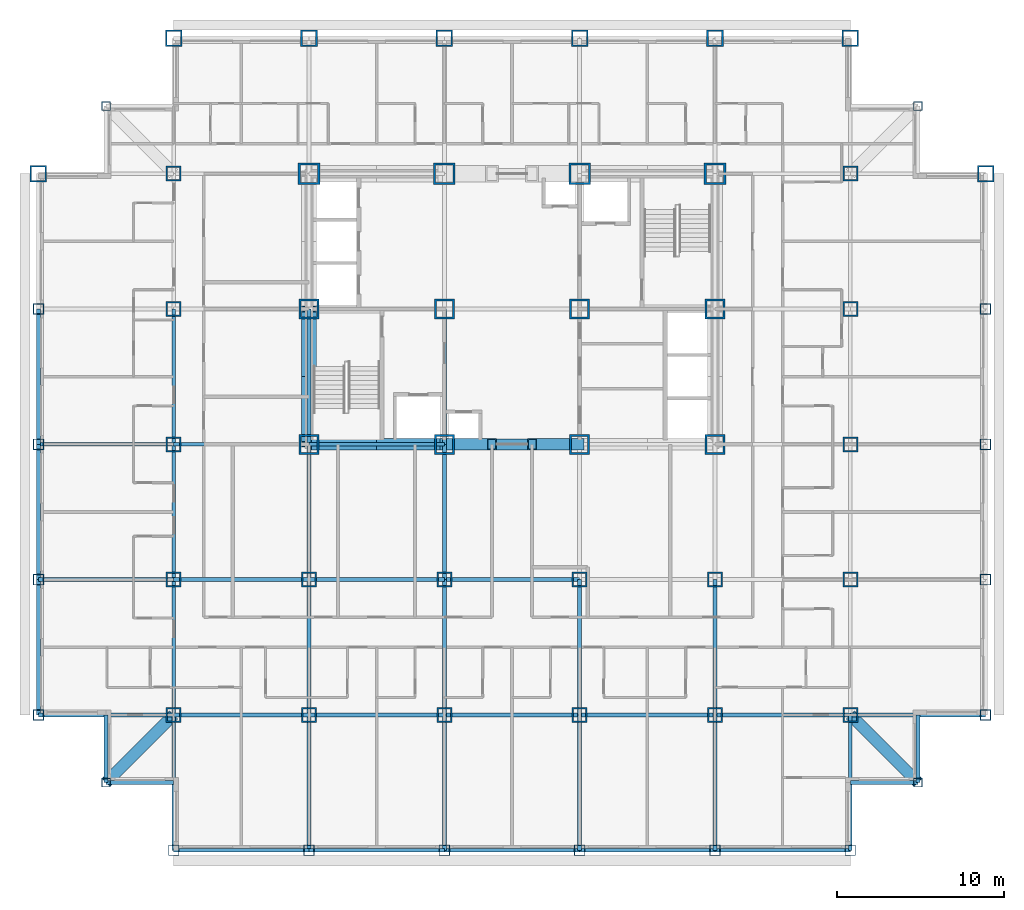
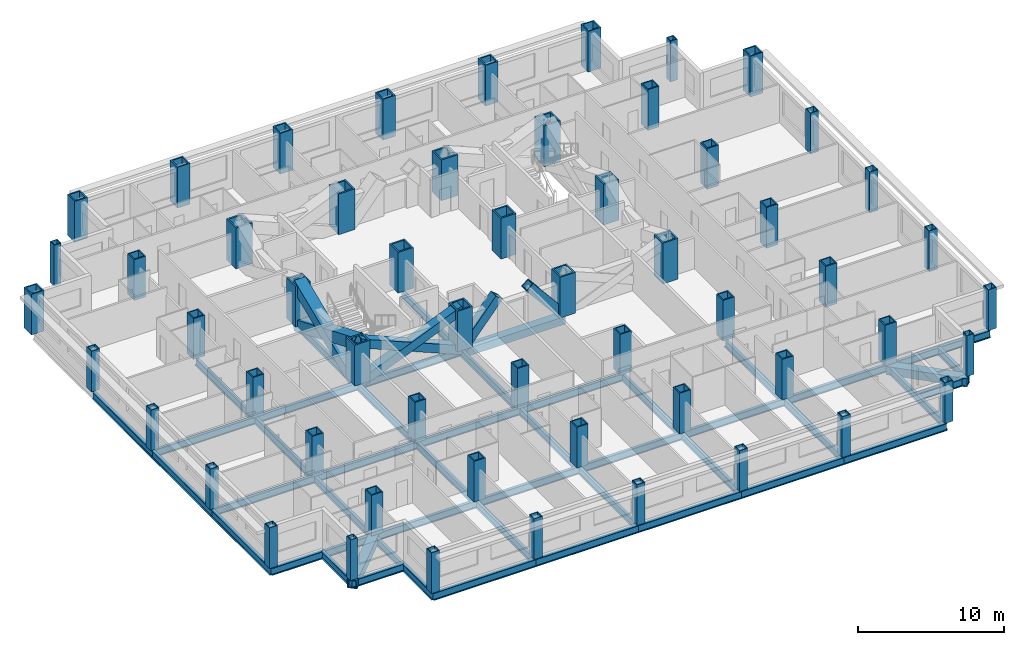
# One storey, part 1 of 12: 56 columns, 46 beams, 6 members.
"""IFC4 building model written with IfcOpenShell, lengths in metres."""

from ifc_helpers import new_model, si_unit, direction, frame, origin, origin_2d, place, context, subcontext, project, spatial, hollow_rectangle, i_section, extrude, material, material_profile, profile_set, type_object, element, save


model = new_model("IFC4")

# Units and contexts
model_context = context("Model", 3, precision=1e-05, world=origin(), true_north=direction((0.0, 1.0)))
body_context = subcontext(model_context, "Body", "Model", "MODEL_VIEW")
ifc_project = project(units=[si_unit("LENGTHUNIT", "METRE"), si_unit("AREAUNIT", "SQUARE_METRE"), si_unit("VOLUMEUNIT", "CUBIC_METRE"), si_unit("PLANEANGLEUNIT", "RADIAN"), si_unit("MASSUNIT", "GRAM", prefix="KILO")], contexts=[model_context])

# Site, building, storey
site_placement = place(None, origin())
site = spatial("IfcSite", under=ifc_project, at=site_placement, CompositionType="ELEMENT")
building_placement = place(site_placement, origin())
building = spatial("IfcBuilding", under=site, at=building_placement, Name="Kopane Lantern Tower", CompositionType="ELEMENT")
storey_placement = place(building_placement, frame((0.0, 0.0, 70.39990234375)))
storey = spatial("IfcBuildingStorey", under=building, at=storey_placement, Name="L17", CompositionType="ELEMENT", Elevation=70.39990234375)

# Columns
ifc_material_1 = material(Name="Steel S355JR", Category="steel")
ifc_material_profile_1 = material_profile(ifc_material_1, hollow_rectangle(XDim=1.0, YDim=1.0, WallThickness=0.10009765625, at=origin_2d()), Name="BOX 1000x1000x100")
ifc_profile_set_1 = profile_set([ifc_material_profile_1], Name="Steel S355JR")
column_type_1 = type_object("IfcColumnType", Name="COLUMN BOX 1000x1000x100", PredefinedType="COLUMN", material=ifc_profile_set_1)
for number, where, z_axis, x_axis, name in (
    (1, (0.0, 40.5, 0.0), (0.0, 0.0, 1.0), (1.0, 0.0, 0.0), "Column 2/G L17"),
    (2, (8.10009765625, 48.60009765625, 0.0), (0.0, 0.0, 1.0), (1.0, 0.0, 0.0), "Column 3/H L17"),
    (3, (16.199951171875, 48.60009765625, 0.0), (0.0, 0.0, 1.0), (1.0, 0.0, 0.0), "Column 4/H L17"),
    (4, (24.300048828125, 48.60009765625, 0.0), (0.0, 0.0, 1.0), (1.0, 0.0, 0.0), "Column 5/H L17"),
    (5, (32.39990234375, 48.60009765625, 0.0), (0.0, 0.0, 1.0), (1.0, 0.0, 0.0), "Column 6/H L17"),
    (6, (40.5, 48.60009765625, 0.0), (0.0, 0.0, 1.0), (1.0, 0.0, 0.0), "Column 7/H L17"),
    (7, (48.60009765625, 48.60009765625, 0.0), (0.0, 0.0, 1.0), (1.0, 0.0, 0.0), "Column 8/H L17"),
    (8, (56.699951171875, 40.5, 0.0), (0.0, 0.0, 1.0), (1.0, 0.0, 0.0), "Column 9/G L17"),
):
    element("IfcColumn", number, at=place(storey_placement, frame(where, z_axis=z_axis, x_axis=x_axis)), inside=storey, type_object=column_type_1, Name=name, PredefinedType="COLUMN", context=body_context, shape_type="SweptSolid", body=[
        extrude(hollow_rectangle(XDim=1.0, YDim=1.0, WallThickness=0.10009765625, at=origin_2d()), origin(), (0.0, 0.0, 1.0), 3.400146484375),
    ])
ifc_material_2 = material(Name="Steel S355JR", Category="steel")
ifc_material_profile_2 = material_profile(ifc_material_2, hollow_rectangle(XDim=1.199951171875, YDim=1.199951171875, WallThickness=0.1201171875, at=origin_2d()), Name="BOX 1200x1200x120")
ifc_profile_set_2 = profile_set([ifc_material_profile_2], Name="Steel S355JR")
column_type_2 = type_object("IfcColumnType", Name="COLUMN BOX 1200x1200x120", PredefinedType="COLUMN", material=ifc_profile_set_2)
for number, where, z_axis, x_axis, name in (
    (9, (16.199951171875, 24.300048828125, 0.0), (0.0, 0.0, 1.0), (1.0, 0.0, 0.0), "Column 4/E L17"),
    (10, (16.199951171875, 32.39990234375, 0.0), (0.0, 0.0, 1.0), (1.0, 0.0, 0.0), "Column 4/F L17"),
    (11, (24.300048828125, 24.300048828125, 0.0), (0.0, 0.0, 1.0), (1.0, 0.0, 0.0), "Column 5/E L17"),
    (12, (24.300048828125, 32.39990234375, 0.0), (0.0, 0.0, 1.0), (1.0, 0.0, 0.0), "Column 5/F L17"),
    (13, (32.39990234375, 24.300048828125, 0.0), (0.0, 0.0, 1.0), (1.0, 0.0, 0.0), "Column 6/E L17"),
    (14, (32.39990234375, 32.39990234375, 0.0), (0.0, 0.0, 1.0), (1.0, 0.0, 0.0), "Column 6/F L17"),
    (15, (40.5, 24.300048828125, 0.0), (0.0, 0.0, 1.0), (1.0, 0.0, 0.0), "Column 7/E L17"),
    (16, (40.5, 32.39990234375, 0.0), (0.0, 0.0, 1.0), (1.0, 0.0, 0.0), "Column 7/F L17"),
):
    element("IfcColumn", number, at=place(storey_placement, frame(where, z_axis=z_axis, x_axis=x_axis)), inside=storey, type_object=column_type_2, Name=name, PredefinedType="COLUMN", context=body_context, shape_type="SweptSolid", body=[
        extrude(hollow_rectangle(XDim=1.199951171875, YDim=1.199951171875, WallThickness=0.1201171875, at=origin_2d()), origin(), (0.0, 0.0, 1.0), 3.400146484375),
    ])
ifc_material_3 = material(Name="Steel S355JR", Category="steel")
ifc_material_profile_3 = material_profile(ifc_material_3, hollow_rectangle(XDim=1.300048828125, YDim=1.300048828125, WallThickness=0.1298828125, at=origin_2d()), Name="BOX 1300x1300x130")
ifc_profile_set_3 = profile_set([ifc_material_profile_3], Name="Steel S355JR")
column_type_3 = type_object("IfcColumnType", Name="COLUMN BOX 1300x1300x130", PredefinedType="COLUMN", material=ifc_profile_set_3)
for number, where, z_axis, x_axis, name in (
    (17, (16.199951171875, 40.5, 0.0), (0.0, 0.0, 1.0), (1.0, 0.0, 0.0), "Column 4/G L17"),
    (18, (24.300048828125, 40.5, 0.0), (0.0, 0.0, 1.0), (1.0, 0.0, 0.0), "Column 5/G L17"),
    (19, (32.39990234375, 40.5, 0.0), (0.0, 0.0, 1.0), (1.0, 0.0, 0.0), "Column 6/G L17"),
    (20, (40.5, 40.5, 0.0), (0.0, 0.0, 1.0), (1.0, 0.0, 0.0), "Column 7/G L17"),
):
    element("IfcColumn", number, at=place(storey_placement, frame(where, z_axis=z_axis, x_axis=x_axis)), inside=storey, type_object=column_type_3, Name=name, PredefinedType="COLUMN", context=body_context, shape_type="SweptSolid", body=[
        extrude(hollow_rectangle(XDim=1.300048828125, YDim=1.300048828125, WallThickness=0.1298828125, at=origin_2d()), origin(), (0.0, 0.0, 1.0), 3.400146484375),
    ])
ifc_material_4 = material(Name="Steel S355JR", Category="steel")
ifc_material_profile_4 = material_profile(ifc_material_4, hollow_rectangle(XDim=0.550048828125, YDim=0.550048828125, WallThickness=0.050048828125, at=origin_2d()), Name="BOX 550x550x50")
ifc_profile_set_4 = profile_set([ifc_material_profile_4], Name="Steel S355JR")
column_type_4 = type_object("IfcColumnType", Name="COLUMN BOX 550x550x50", PredefinedType="COLUMN", material=ifc_profile_set_4)
for number, where, z_axis, x_axis, name in (
    (21, (4.050048828125, 4.050048828125, 0.0), (0.0, 0.0, 1.0), (1.0, 0.0, 0.0), "Column 4.05/4.05 L17"),
    (22, (4.050048828125, 44.550048828125, 0.0), (0.0, 0.0, 1.0), (1.0, 0.0, 0.0), "Column 4.05/44.55 L17"),
    (23, (52.64990234375, 4.050048828125, 0.0), (0.0, 0.0, 1.0), (1.0, 0.0, 0.0), "Column 52.65/4.05 L17"),
    (24, (52.64990234375, 44.550048828125, 0.0), (0.0, 0.0, 1.0), (1.0, 0.0, 0.0), "Column 52.65/44.55 L17"),
):
    element("IfcColumn", number, at=place(storey_placement, frame(where, z_axis=z_axis, x_axis=x_axis)), inside=storey, type_object=column_type_4, Name=name, PredefinedType="COLUMN", context=body_context, shape_type="SweptSolid", body=[
        extrude(hollow_rectangle(XDim=0.550048828125, YDim=0.550048828125, WallThickness=0.050048828125, at=origin_2d()), origin(), (0.0, 0.0, 1.0), 3.400146484375),
    ])
ifc_material_5 = material(Name="Steel S355JR", Category="steel")
ifc_material_profile_5 = material_profile(ifc_material_5, hollow_rectangle(XDim=0.64990234375, YDim=0.64990234375, WallThickness=0.050048828125, at=origin_2d()), Name="BOX 650x650x50")
ifc_profile_set_5 = profile_set([ifc_material_profile_5], Name="Steel S355JR")
column_type_5 = type_object("IfcColumnType", Name="COLUMN BOX 650x650x50", PredefinedType="COLUMN", material=ifc_profile_set_5)
for number, where, z_axis, x_axis, name in (
    (25, (0.0, 8.10009765625, 0.0), (0.0, 0.0, 1.0), (1.0, 0.0, 0.0), "Column 2/C L17"),
    (26, (0.0, 16.199951171875, 0.0), (0.0, 0.0, 1.0), (1.0, 0.0, 0.0), "Column 2/D L17"),
    (27, (0.0, 24.300048828125, 0.0), (0.0, 0.0, 1.0), (1.0, 0.0, 0.0), "Column 2/E L17"),
    (28, (0.0, 32.39990234375, 0.0), (0.0, 0.0, 1.0), (1.0, 0.0, 0.0), "Column 2/F L17"),
    (29, (8.10009765625, 0.0, 0.0), (0.0, 0.0, 1.0), (1.0, 0.0, 0.0), "Column 3/B L17"),
    (30, (16.199951171875, 0.0, 0.0), (0.0, 0.0, 1.0), (1.0, 0.0, 0.0), "Column 4/B L17"),
    (31, (24.300048828125, 0.0, 0.0), (0.0, 0.0, 1.0), (1.0, 0.0, 0.0), "Column 5/B L17"),
    (32, (32.39990234375, 0.0, 0.0), (0.0, 0.0, 1.0), (1.0, 0.0, 0.0), "Column 6/B L17"),
    (33, (40.5, 0.0, 0.0), (0.0, 0.0, 1.0), (1.0, 0.0, 0.0), "Column 7/B L17"),
    (34, (48.60009765625, 0.0, 0.0), (0.0, 0.0, 1.0), (1.0, 0.0, 0.0), "Column 8/B L17"),
    (35, (56.699951171875, 8.10009765625, 0.0), (0.0, 0.0, 1.0), (1.0, 0.0, 0.0), "Column 9/C L17"),
    (36, (56.699951171875, 16.199951171875, 0.0), (0.0, 0.0, 1.0), (1.0, 0.0, 0.0), "Column 9/D L17"),
    (37, (56.699951171875, 24.300048828125, 0.0), (0.0, 0.0, 1.0), (1.0, 0.0, 0.0), "Column 9/E L17"),
    (38, (56.699951171875, 32.39990234375, 0.0), (0.0, 0.0, 1.0), (1.0, 0.0, 0.0), "Column 9/F L17"),
):
    element("IfcColumn", number, at=place(storey_placement, frame(where, z_axis=z_axis, x_axis=x_axis)), inside=storey, type_object=column_type_5, Name=name, PredefinedType="COLUMN", context=body_context, shape_type="SweptSolid", body=[
        extrude(hollow_rectangle(XDim=0.64990234375, YDim=0.64990234375, WallThickness=0.050048828125, at=origin_2d()), origin(), (0.0, 0.0, 1.0), 3.400146484375),
    ])
ifc_material_6 = material(Name="Steel S355JR", Category="steel")
ifc_material_profile_6 = material_profile(ifc_material_6, hollow_rectangle(XDim=0.89990234375, YDim=0.89990234375, WallThickness=0.090087890625, at=origin_2d()), Name="BOX 900x900x90")
ifc_profile_set_6 = profile_set([ifc_material_profile_6], Name="Steel S355JR")
column_type_6 = type_object("IfcColumnType", Name="COLUMN BOX 900x900x90", PredefinedType="COLUMN", material=ifc_profile_set_6)
for number, where, z_axis, x_axis, name in (
    (39, (8.10009765625, 8.10009765625, 0.0), (0.0, 0.0, 1.0), (1.0, 0.0, 0.0), "Column 3/C L17"),
    (40, (8.10009765625, 16.199951171875, 0.0), (0.0, 0.0, 1.0), (1.0, 0.0, 0.0), "Column 3/D L17"),
    (41, (8.10009765625, 24.300048828125, 0.0), (0.0, 0.0, 1.0), (1.0, 0.0, 0.0), "Column 3/E L17"),
    (42, (8.10009765625, 32.39990234375, 0.0), (0.0, 0.0, 1.0), (1.0, 0.0, 0.0), "Column 3/F L17"),
    (43, (8.10009765625, 40.5, 0.0), (0.0, 0.0, 1.0), (1.0, 0.0, 0.0), "Column 3/G L17"),
    (44, (16.199951171875, 8.10009765625, 0.0), (0.0, 0.0, 1.0), (1.0, 0.0, 0.0), "Column 4/C L17"),
    (45, (16.199951171875, 16.199951171875, 0.0), (0.0, 0.0, 1.0), (1.0, 0.0, 0.0), "Column 4/D L17"),
    (46, (24.300048828125, 8.10009765625, 0.0), (0.0, 0.0, 1.0), (1.0, 0.0, 0.0), "Column 5/C L17"),
    (47, (24.300048828125, 16.199951171875, 0.0), (0.0, 0.0, 1.0), (1.0, 0.0, 0.0), "Column 5/D L17"),
    (48, (32.39990234375, 8.10009765625, 0.0), (0.0, 0.0, 1.0), (1.0, 0.0, 0.0), "Column 6/C L17"),
    (49, (32.39990234375, 16.199951171875, 0.0), (0.0, 0.0, 1.0), (1.0, 0.0, 0.0), "Column 6/D L17"),
    (50, (40.5, 8.10009765625, 0.0), (0.0, 0.0, 1.0), (1.0, 0.0, 0.0), "Column 7/C L17"),
    (51, (40.5, 16.199951171875, 0.0), (0.0, 0.0, 1.0), (1.0, 0.0, 0.0), "Column 7/D L17"),
    (52, (48.60009765625, 8.10009765625, 0.0), (0.0, 0.0, 1.0), (1.0, 0.0, 0.0), "Column 8/C L17"),
    (53, (48.60009765625, 16.199951171875, 0.0), (0.0, 0.0, 1.0), (1.0, 0.0, 0.0), "Column 8/D L17"),
    (54, (48.60009765625, 24.300048828125, 0.0), (0.0, 0.0, 1.0), (1.0, 0.0, 0.0), "Column 8/E L17"),
    (55, (48.60009765625, 32.39990234375, 0.0), (0.0, 0.0, 1.0), (1.0, 0.0, 0.0), "Column 8/F L17"),
    (56, (48.60009765625, 40.5, 0.0), (0.0, 0.0, 1.0), (1.0, 0.0, 0.0), "Column 8/G L17"),
):
    element("IfcColumn", number, at=place(storey_placement, frame(where, z_axis=z_axis, x_axis=x_axis)), inside=storey, type_object=column_type_6, Name=name, PredefinedType="COLUMN", context=body_context, shape_type="SweptSolid", body=[
        extrude(hollow_rectangle(XDim=0.89990234375, YDim=0.89990234375, WallThickness=0.090087890625, at=origin_2d()), origin(), (0.0, 0.0, 1.0), 3.400146484375),
    ])

# Members
ifc_material_7 = material(Name="Steel S355JR", Category="steel")
ifc_material_profile_7 = material_profile(ifc_material_7, hollow_rectangle(XDim=0.699951171875, YDim=0.699951171875, WallThickness=0.06005859375, at=origin_2d()), Name="BOX 700x700x60")
ifc_profile_set_7 = profile_set([ifc_material_profile_7], Name="Steel S355JR")
member_type_1 = type_object("IfcMemberType", Name="BRACE BOX 700x700x60", PredefinedType="BRACE", material=ifc_profile_set_7)
for number, where, z_axis, x_axis, name in (
    (57, (16.199951171875, 24.300048828125, -0.2099609375), (0.92205908274, 0.0, 0.387049154419), (0.0, 1.0, 0.0), "Core brace L17"),
    (58, (24.300048828125, 24.300048828125, -0.2099609375), (-0.92205908274, 0.0, 0.387049154419), (0.0, -1.0, 0.0), "Core brace L17"),
):
    element("IfcMember", number, at=place(storey_placement, frame(where, z_axis=z_axis, x_axis=x_axis)), inside=storey, type_object=member_type_1, Name=name, PredefinedType="BRACE", context=body_context, shape_type="SweptSolid", body=[
        extrude(hollow_rectangle(XDim=0.699951171875, YDim=0.699951171875, WallThickness=0.06005859375, at=origin_2d()), origin(), (0.0, 0.0, 1.0), 8.784912109375),
    ])
for number, where, z_axis, x_axis, name in (
    (59, (24.300048828125, 24.300048828125, -0.2099609375), (0.642363165114, 0.0, 0.766400394118), (0.0, 1.0, 0.0), "Core brace L17"),
    (60, (32.39990234375, 24.300048828125, -0.2099609375), (-0.642363165114, 0.0, 0.766400394118), (0.0, -1.0, 0.0), "Core brace L17"),
):
    element("IfcMember", number, at=place(storey_placement, frame(where, z_axis=z_axis, x_axis=x_axis)), inside=storey, type_object=member_type_1, Name=name, PredefinedType="BRACE", context=body_context, shape_type="SweptSolid", body=[
        extrude(hollow_rectangle(XDim=0.699951171875, YDim=0.699951171875, WallThickness=0.06005859375, at=origin_2d()), origin(), (0.0, 0.0, 1.0), 4.4365234375),
    ])
ifc_material_8 = material(Name="Steel S355JR", Category="steel")
ifc_material_profile_8 = material_profile(ifc_material_8, hollow_rectangle(XDim=0.89990234375, YDim=0.89990234375, WallThickness=0.090087890625, at=origin_2d()), Name="BOX 900x900x90")
ifc_profile_set_8 = profile_set([ifc_material_profile_8], Name="Steel S355JR")
member_type_2 = type_object("IfcMemberType", Name="BRACE BOX 900x900x90", PredefinedType="BRACE", material=ifc_profile_set_8)
for number, where, z_axis, x_axis, name in (
    (61, (16.199951171875, 24.300048828125, -0.2099609375), (0.0, 0.92205491925, 0.387059072864), (-1.0, 0.0, 0.0), "Core brace L17"),
    (62, (16.199951171875, 32.39990234375, -0.2099609375), (0.0, -0.92205491925, 0.387059072864), (1.0, 0.0, 0.0), "Core brace L17"),
):
    element("IfcMember", number, at=place(storey_placement, frame(where, z_axis=z_axis, x_axis=x_axis)), inside=storey, type_object=member_type_2, Name=name, PredefinedType="BRACE", context=body_context, shape_type="SweptSolid", body=[
        extrude(hollow_rectangle(XDim=0.89990234375, YDim=0.89990234375, WallThickness=0.090087890625, at=origin_2d()), origin(), (0.0, 0.0, 1.0), 8.78466796875),
    ])

# Beams
ifc_material_9 = material(Name="Steel S355JR", Category="steel")
ifc_material_profile_9 = material_profile(ifc_material_9, i_section(OverallWidth=0.22900390625, OverallDepth=0.6123046875, WebThickness=0.011962890625, FlangeThickness=0.01953125, FilletRadius=0.0126953125, at=origin_2d()), Name="UB 610x229x125")
ifc_profile_set_9 = profile_set([ifc_material_profile_9], Name="Steel S355JR")
beam_type_1 = type_object("IfcBeamType", Name="CORE BEAM UB 610x229x125", PredefinedType="BEAM", material=ifc_profile_set_9)
beam_1_placement = place(storey_placement, frame((24.300048828125, 24.300048828125, -0.51611328125), z_axis=(0.0, 1.0, 0.0), x_axis=(-1.0, 0.0, 0.0)))
element("IfcBeam", 63, at=beam_1_placement, inside=storey, type_object=beam_type_1, Name="Core Beam L17", PredefinedType="BEAM", context=body_context, shape_type="SweptSolid", body=[
    extrude(i_section(OverallWidth=0.22900390625, OverallDepth=0.6123046875, WebThickness=0.011962890625, FlangeThickness=0.01953125, FilletRadius=0.0126953125, at=origin_2d()), origin(), (0.0, 0.0, 1.0), 8.099853515625),
])
ifc_material_10 = material(Name="Steel S355JR", Category="steel")
ifc_material_profile_10 = material_profile(ifc_material_10, hollow_rectangle(XDim=0.699951171875, YDim=0.699951171875, WallThickness=0.06005859375, at=origin_2d()), Name="BOX 700x700x60")
ifc_profile_set_10 = profile_set([ifc_material_profile_10], Name="Steel S355JR")
beam_type_2 = type_object("IfcBeamType", Name="CORNER TIE BEAM BOX 700x700x60", PredefinedType="BEAM", material=ifc_profile_set_10)
for number, where, z_axis, x_axis, name in (
    (64, (4.050048828125, 4.050048828125, -0.559814453125), (0.707106781187, 0.707106781187, 0.0), (-0.707106781187, 0.707106781187, 0.0), "Corner Tie Beam L17"),
    (65, (52.64990234375, 4.050048828125, -0.559814453125), (-0.707085467703, 0.707128094028, 0.0), (-0.707128094028, -0.707085467703, 0.0), "Corner Tie Beam L17"),
):
    element("IfcBeam", number, at=place(storey_placement, frame(where, z_axis=z_axis, x_axis=x_axis)), inside=storey, type_object=beam_type_2, Name=name, PredefinedType="BEAM", context=body_context, shape_type="SweptSolid", body=[
        extrude(hollow_rectangle(XDim=0.699951171875, YDim=0.699951171875, WallThickness=0.06005859375, at=origin_2d()), origin(), (0.0, 0.0, 1.0), 5.7275390625),
    ])
ifc_material_11 = material(Name="Steel S355JR", Category="steel")
ifc_material_profile_11 = material_profile(ifc_material_11, i_section(OverallWidth=0.22900390625, OverallDepth=0.6123046875, WebThickness=0.011962890625, FlangeThickness=0.01953125, FilletRadius=0.0126953125, at=origin_2d()), Name="UB 610x229x125")
ifc_profile_set_11 = profile_set([ifc_material_profile_11], Name="Steel S355JR")
beam_type_3 = type_object("IfcBeamType", Name="EDGE BEAM UB 610x229x125", PredefinedType="BEAM", material=ifc_profile_set_11)
for number, where, z_axis, x_axis, name in (
    (66, (4.050048828125, 4.050048828125, -0.51611328125), (0.0, 1.0, 0.0), (-1.0, 0.0, 0.0), "Edge Beam L17"),
    (67, (4.050048828125, 4.050048828125, -0.51611328125), (1.0, 0.0, 0.0), (0.0, 1.0, 0.0), "Edge Beam L17"),
):
    element("IfcBeam", number, at=place(storey_placement, frame(where, z_axis=z_axis, x_axis=x_axis)), inside=storey, type_object=beam_type_3, Name=name, PredefinedType="BEAM", context=body_context, shape_type="SweptSolid", body=[
        extrude(i_section(OverallWidth=0.22900390625, OverallDepth=0.6123046875, WebThickness=0.011962890625, FlangeThickness=0.01953125, FilletRadius=0.0126953125, at=origin_2d()), origin(), (0.0, 0.0, 1.0), 4.050048828125),
    ])
beam_2_placement = place(storey_placement, frame((52.64990234375, 4.050048828125, -0.51611328125), z_axis=(-1.0, 0.0, 0.0), x_axis=(0.0, -1.0, 0.0)))
element("IfcBeam", 68, at=beam_2_placement, inside=storey, type_object=beam_type_3, Name="Edge Beam L17", PredefinedType="BEAM", context=body_context, shape_type="SweptSolid", body=[
    extrude(i_section(OverallWidth=0.22900390625, OverallDepth=0.6123046875, WebThickness=0.011962890625, FlangeThickness=0.01953125, FilletRadius=0.0126953125, at=origin_2d()), origin(), (0.0, 0.0, 1.0), 4.0498046875),
])
beam_3_placement = place(storey_placement, frame((52.64990234375, 4.050048828125, -0.51611328125), z_axis=(0.0, 1.0, 0.0), x_axis=(-1.0, 0.0, 0.0)))
element("IfcBeam", 69, at=beam_3_placement, inside=storey, type_object=beam_type_3, Name="Edge Beam L17", PredefinedType="BEAM", context=body_context, shape_type="SweptSolid", body=[
    extrude(i_section(OverallWidth=0.22900390625, OverallDepth=0.6123046875, WebThickness=0.011962890625, FlangeThickness=0.01953125, FilletRadius=0.0126953125, at=origin_2d()), origin(), (0.0, 0.0, 1.0), 4.050048828125),
])
ifc_material_12 = material(Name="Steel S355JR", Category="steel")
ifc_material_profile_12 = material_profile(ifc_material_12, i_section(OverallWidth=0.22900390625, OverallDepth=0.6123046875, WebThickness=0.011962890625, FlangeThickness=0.01953125, FilletRadius=0.0126953125, at=origin_2d()), Name="UB 610x229x125")
ifc_profile_set_12 = profile_set([ifc_material_profile_12], Name="Steel S355JR")
beam_type_4 = type_object("IfcBeamType", Name="GIRDER UB 610x229x125", PredefinedType="BEAM", material=ifc_profile_set_12)
beam_4_placement = place(storey_placement, frame((0.0, 8.10009765625, -0.51611328125), z_axis=(0.0, 1.0, 0.0), x_axis=(-1.0, 0.0, 0.0)))
element("IfcBeam", 70, at=beam_4_placement, inside=storey, type_object=beam_type_4, Name="Girder L17", PredefinedType="BEAM", context=body_context, shape_type="SweptSolid", body=[
    extrude(i_section(OverallWidth=0.22900390625, OverallDepth=0.6123046875, WebThickness=0.011962890625, FlangeThickness=0.01953125, FilletRadius=0.0126953125, at=origin_2d()), origin(), (0.0, 0.0, 1.0), 8.099853515625),
])
for number, where, z_axis, x_axis, name in (
    (71, (0.0, 8.10009765625, -0.51611328125), (1.0, 0.0, 0.0), (0.0, 1.0, 0.0), "Girder L17"),
    (72, (0.0, 16.199951171875, -0.51611328125), (0.0, 1.0, 0.0), (-1.0, 0.0, 0.0), "Girder L17"),
    (73, (0.0, 16.199951171875, -0.51611328125), (1.0, 0.0, 0.0), (0.0, 1.0, 0.0), "Girder L17"),
):
    element("IfcBeam", number, at=place(storey_placement, frame(where, z_axis=z_axis, x_axis=x_axis)), inside=storey, type_object=beam_type_4, Name=name, PredefinedType="BEAM", context=body_context, shape_type="SweptSolid", body=[
        extrude(i_section(OverallWidth=0.22900390625, OverallDepth=0.6123046875, WebThickness=0.011962890625, FlangeThickness=0.01953125, FilletRadius=0.0126953125, at=origin_2d()), origin(), (0.0, 0.0, 1.0), 8.10009765625),
    ])
beam_5_placement = place(storey_placement, frame((0.0, 24.300048828125, -0.51611328125), z_axis=(0.0, 1.0, 0.0), x_axis=(-1.0, 0.0, 0.0)))
element("IfcBeam", 74, at=beam_5_placement, inside=storey, type_object=beam_type_4, Name="Girder L17", PredefinedType="BEAM", context=body_context, shape_type="SweptSolid", body=[
    extrude(i_section(OverallWidth=0.22900390625, OverallDepth=0.6123046875, WebThickness=0.011962890625, FlangeThickness=0.01953125, FilletRadius=0.0126953125, at=origin_2d()), origin(), (0.0, 0.0, 1.0), 8.099853515625),
])
for number, where, z_axis, x_axis, name in (
    (75, (0.0, 24.300048828125, -0.51611328125), (1.0, 0.0, 0.0), (0.0, 1.0, 0.0), "Girder L17"),
    (76, (8.10009765625, 0.0, -0.51611328125), (0.0, 1.0, 0.0), (-1.0, 0.0, 0.0), "Girder L17"),
):
    element("IfcBeam", number, at=place(storey_placement, frame(where, z_axis=z_axis, x_axis=x_axis)), inside=storey, type_object=beam_type_4, Name=name, PredefinedType="BEAM", context=body_context, shape_type="SweptSolid", body=[
        extrude(i_section(OverallWidth=0.22900390625, OverallDepth=0.6123046875, WebThickness=0.011962890625, FlangeThickness=0.01953125, FilletRadius=0.0126953125, at=origin_2d()), origin(), (0.0, 0.0, 1.0), 8.10009765625),
    ])
for number, where, z_axis, x_axis, name in (
    (77, (8.10009765625, 0.0, -0.51611328125), (1.0, 0.0, 0.0), (0.0, 1.0, 0.0), "Girder L17"),
    (78, (8.10009765625, 8.10009765625, -0.51611328125), (0.0, 1.0, 0.0), (-1.0, 0.0, 0.0), "Girder L17"),
    (79, (8.10009765625, 8.10009765625, -0.51611328125), (1.0, 0.0, 0.0), (0.0, 1.0, 0.0), "Girder L17"),
):
    element("IfcBeam", number, at=place(storey_placement, frame(where, z_axis=z_axis, x_axis=x_axis)), inside=storey, type_object=beam_type_4, Name=name, PredefinedType="BEAM", context=body_context, shape_type="SweptSolid", body=[
        extrude(i_section(OverallWidth=0.22900390625, OverallDepth=0.6123046875, WebThickness=0.011962890625, FlangeThickness=0.01953125, FilletRadius=0.0126953125, at=origin_2d()), origin(), (0.0, 0.0, 1.0), 8.099853515625),
    ])
beam_6_placement = place(storey_placement, frame((8.10009765625, 16.199951171875, -0.51611328125), z_axis=(0.0, 1.0, 0.0), x_axis=(-1.0, 0.0, 0.0)))
element("IfcBeam", 80, at=beam_6_placement, inside=storey, type_object=beam_type_4, Name="Girder L17", PredefinedType="BEAM", context=body_context, shape_type="SweptSolid", body=[
    extrude(i_section(OverallWidth=0.22900390625, OverallDepth=0.6123046875, WebThickness=0.011962890625, FlangeThickness=0.01953125, FilletRadius=0.0126953125, at=origin_2d()), origin(), (0.0, 0.0, 1.0), 8.10009765625),
])
for number, where, z_axis, x_axis, name in (
    (81, (8.10009765625, 16.199951171875, -0.51611328125), (1.0, 0.0, 0.0), (0.0, 1.0, 0.0), "Girder L17"),
    (82, (8.10009765625, 24.300048828125, -0.51611328125), (0.0, 1.0, 0.0), (-1.0, 0.0, 0.0), "Girder L17"),
    (83, (8.10009765625, 24.300048828125, -0.51611328125), (1.0, 0.0, 0.0), (0.0, 1.0, 0.0), "Girder L17"),
):
    element("IfcBeam", number, at=place(storey_placement, frame(where, z_axis=z_axis, x_axis=x_axis)), inside=storey, type_object=beam_type_4, Name=name, PredefinedType="BEAM", context=body_context, shape_type="SweptSolid", body=[
        extrude(i_section(OverallWidth=0.22900390625, OverallDepth=0.6123046875, WebThickness=0.011962890625, FlangeThickness=0.01953125, FilletRadius=0.0126953125, at=origin_2d()), origin(), (0.0, 0.0, 1.0), 8.099853515625),
    ])
for number, where, z_axis, x_axis, name in (
    (84, (16.199951171875, 0.0, -0.51611328125), (0.0, 1.0, 0.0), (-1.0, 0.0, 0.0), "Girder L17"),
    (85, (16.199951171875, 0.0, -0.51611328125), (1.0, 0.0, 0.0), (0.0, 1.0, 0.0), "Girder L17"),
):
    element("IfcBeam", number, at=place(storey_placement, frame(where, z_axis=z_axis, x_axis=x_axis)), inside=storey, type_object=beam_type_4, Name=name, PredefinedType="BEAM", context=body_context, shape_type="SweptSolid", body=[
        extrude(i_section(OverallWidth=0.22900390625, OverallDepth=0.6123046875, WebThickness=0.011962890625, FlangeThickness=0.01953125, FilletRadius=0.0126953125, at=origin_2d()), origin(), (0.0, 0.0, 1.0), 8.10009765625),
    ])
beam_7_placement = place(storey_placement, frame((16.199951171875, 8.10009765625, -0.51611328125), z_axis=(0.0, 1.0, 0.0), x_axis=(-1.0, 0.0, 0.0)))
element("IfcBeam", 86, at=beam_7_placement, inside=storey, type_object=beam_type_4, Name="Girder L17", PredefinedType="BEAM", context=body_context, shape_type="SweptSolid", body=[
    extrude(i_section(OverallWidth=0.22900390625, OverallDepth=0.6123046875, WebThickness=0.011962890625, FlangeThickness=0.01953125, FilletRadius=0.0126953125, at=origin_2d()), origin(), (0.0, 0.0, 1.0), 8.099853515625),
])
for number, where, z_axis, x_axis, name in (
    (87, (16.199951171875, 8.10009765625, -0.51611328125), (1.0, 0.0, 0.0), (0.0, 1.0, 0.0), "Girder L17"),
    (88, (16.199951171875, 16.199951171875, -0.51611328125), (0.0, 1.0, 0.0), (-1.0, 0.0, 0.0), "Girder L17"),
    (89, (16.199951171875, 16.199951171875, -0.51611328125), (1.0, 0.0, 0.0), (0.0, 1.0, 0.0), "Girder L17"),
):
    element("IfcBeam", number, at=place(storey_placement, frame(where, z_axis=z_axis, x_axis=x_axis)), inside=storey, type_object=beam_type_4, Name=name, PredefinedType="BEAM", context=body_context, shape_type="SweptSolid", body=[
        extrude(i_section(OverallWidth=0.22900390625, OverallDepth=0.6123046875, WebThickness=0.011962890625, FlangeThickness=0.01953125, FilletRadius=0.0126953125, at=origin_2d()), origin(), (0.0, 0.0, 1.0), 8.10009765625),
    ])
beam_8_placement = place(storey_placement, frame((16.199951171875, 24.300048828125, -0.51611328125), z_axis=(0.0, 1.0, 0.0), x_axis=(-1.0, 0.0, 0.0)))
element("IfcBeam", 90, at=beam_8_placement, inside=storey, type_object=beam_type_4, Name="Girder L17", PredefinedType="BEAM", context=body_context, shape_type="SweptSolid", body=[
    extrude(i_section(OverallWidth=0.22900390625, OverallDepth=0.6123046875, WebThickness=0.011962890625, FlangeThickness=0.01953125, FilletRadius=0.0126953125, at=origin_2d()), origin(), (0.0, 0.0, 1.0), 8.099853515625),
])
for number, where, z_axis, x_axis, name in (
    (91, (16.199951171875, 24.300048828125, -0.51611328125), (1.0, 0.0, 0.0), (0.0, 1.0, 0.0), "Girder L17"),
    (92, (24.300048828125, 0.0, -0.51611328125), (0.0, 1.0, 0.0), (-1.0, 0.0, 0.0), "Girder L17"),
):
    element("IfcBeam", number, at=place(storey_placement, frame(where, z_axis=z_axis, x_axis=x_axis)), inside=storey, type_object=beam_type_4, Name=name, PredefinedType="BEAM", context=body_context, shape_type="SweptSolid", body=[
        extrude(i_section(OverallWidth=0.22900390625, OverallDepth=0.6123046875, WebThickness=0.011962890625, FlangeThickness=0.01953125, FilletRadius=0.0126953125, at=origin_2d()), origin(), (0.0, 0.0, 1.0), 8.10009765625),
    ])
for number, where, z_axis, x_axis, name in (
    (93, (24.300048828125, 0.0, -0.51611328125), (1.0, 0.0, 0.0), (0.0, 1.0, 0.0), "Girder L17"),
    (94, (24.300048828125, 8.10009765625, -0.51611328125), (0.0, 1.0, 0.0), (-1.0, 0.0, 0.0), "Girder L17"),
    (95, (24.300048828125, 8.10009765625, -0.51611328125), (1.0, 0.0, 0.0), (0.0, 1.0, 0.0), "Girder L17"),
):
    element("IfcBeam", number, at=place(storey_placement, frame(where, z_axis=z_axis, x_axis=x_axis)), inside=storey, type_object=beam_type_4, Name=name, PredefinedType="BEAM", context=body_context, shape_type="SweptSolid", body=[
        extrude(i_section(OverallWidth=0.22900390625, OverallDepth=0.6123046875, WebThickness=0.011962890625, FlangeThickness=0.01953125, FilletRadius=0.0126953125, at=origin_2d()), origin(), (0.0, 0.0, 1.0), 8.099853515625),
    ])
beam_9_placement = place(storey_placement, frame((24.300048828125, 16.199951171875, -0.51611328125), z_axis=(0.0, 1.0, 0.0), x_axis=(-1.0, 0.0, 0.0)))
element("IfcBeam", 96, at=beam_9_placement, inside=storey, type_object=beam_type_4, Name="Girder L17", PredefinedType="BEAM", context=body_context, shape_type="SweptSolid", body=[
    extrude(i_section(OverallWidth=0.22900390625, OverallDepth=0.6123046875, WebThickness=0.011962890625, FlangeThickness=0.01953125, FilletRadius=0.0126953125, at=origin_2d()), origin(), (0.0, 0.0, 1.0), 8.10009765625),
])
beam_10_placement = place(storey_placement, frame((24.300048828125, 16.199951171875, -0.51611328125), z_axis=(1.0, 0.0, 0.0), x_axis=(0.0, 1.0, 0.0)))
element("IfcBeam", 97, at=beam_10_placement, inside=storey, type_object=beam_type_4, Name="Girder L17", PredefinedType="BEAM", context=body_context, shape_type="SweptSolid", body=[
    extrude(i_section(OverallWidth=0.22900390625, OverallDepth=0.6123046875, WebThickness=0.011962890625, FlangeThickness=0.01953125, FilletRadius=0.0126953125, at=origin_2d()), origin(), (0.0, 0.0, 1.0), 8.099853515625),
])
for number, where, z_axis, x_axis, name in (
    (98, (32.39990234375, 0.0, -0.51611328125), (0.0, 1.0, 0.0), (-1.0, 0.0, 0.0), "Girder L17"),
    (99, (32.39990234375, 0.0, -0.51611328125), (1.0, 0.0, 0.0), (0.0, 1.0, 0.0), "Girder L17"),
):
    element("IfcBeam", number, at=place(storey_placement, frame(where, z_axis=z_axis, x_axis=x_axis)), inside=storey, type_object=beam_type_4, Name=name, PredefinedType="BEAM", context=body_context, shape_type="SweptSolid", body=[
        extrude(i_section(OverallWidth=0.22900390625, OverallDepth=0.6123046875, WebThickness=0.011962890625, FlangeThickness=0.01953125, FilletRadius=0.0126953125, at=origin_2d()), origin(), (0.0, 0.0, 1.0), 8.10009765625),
    ])
beam_11_placement = place(storey_placement, frame((32.39990234375, 8.10009765625, -0.51611328125), z_axis=(0.0, 1.0, 0.0), x_axis=(-1.0, 0.0, 0.0)))
element("IfcBeam", 100, at=beam_11_placement, inside=storey, type_object=beam_type_4, Name="Girder L17", PredefinedType="BEAM", context=body_context, shape_type="SweptSolid", body=[
    extrude(i_section(OverallWidth=0.22900390625, OverallDepth=0.6123046875, WebThickness=0.011962890625, FlangeThickness=0.01953125, FilletRadius=0.0126953125, at=origin_2d()), origin(), (0.0, 0.0, 1.0), 8.099853515625),
])
for number, where, z_axis, x_axis, name in (
    (101, (32.39990234375, 8.10009765625, -0.51611328125), (1.0, 0.0, 0.0), (0.0, 1.0, 0.0), "Girder L17"),
    (102, (40.5, 0.0, -0.51611328125), (0.0, 1.0, 0.0), (-1.0, 0.0, 0.0), "Girder L17"),
    (103, (40.5, 0.0, -0.51611328125), (1.0, 0.0, 0.0), (0.0, 1.0, 0.0), "Girder L17"),
):
    element("IfcBeam", number, at=place(storey_placement, frame(where, z_axis=z_axis, x_axis=x_axis)), inside=storey, type_object=beam_type_4, Name=name, PredefinedType="BEAM", context=body_context, shape_type="SweptSolid", body=[
        extrude(i_section(OverallWidth=0.22900390625, OverallDepth=0.6123046875, WebThickness=0.011962890625, FlangeThickness=0.01953125, FilletRadius=0.0126953125, at=origin_2d()), origin(), (0.0, 0.0, 1.0), 8.10009765625),
    ])
beam_12_placement = place(storey_placement, frame((40.5, 8.10009765625, -0.51611328125), z_axis=(0.0, 1.0, 0.0), x_axis=(-1.0, 0.0, 0.0)))
element("IfcBeam", 104, at=beam_12_placement, inside=storey, type_object=beam_type_4, Name="Girder L17", PredefinedType="BEAM", context=body_context, shape_type="SweptSolid", body=[
    extrude(i_section(OverallWidth=0.22900390625, OverallDepth=0.6123046875, WebThickness=0.011962890625, FlangeThickness=0.01953125, FilletRadius=0.0126953125, at=origin_2d()), origin(), (0.0, 0.0, 1.0), 8.099853515625),
])
for number, where, z_axis, x_axis, name in (
    (105, (40.5, 8.10009765625, -0.51611328125), (1.0, 0.0, 0.0), (0.0, 1.0, 0.0), "Girder L17"),
    (106, (48.60009765625, 0.0, -0.51611328125), (0.0, 1.0, 0.0), (-1.0, 0.0, 0.0), "Girder L17"),
):
    element("IfcBeam", number, at=place(storey_placement, frame(where, z_axis=z_axis, x_axis=x_axis)), inside=storey, type_object=beam_type_4, Name=name, PredefinedType="BEAM", context=body_context, shape_type="SweptSolid", body=[
        extrude(i_section(OverallWidth=0.22900390625, OverallDepth=0.6123046875, WebThickness=0.011962890625, FlangeThickness=0.01953125, FilletRadius=0.0126953125, at=origin_2d()), origin(), (0.0, 0.0, 1.0), 8.10009765625),
    ])
beam_13_placement = place(storey_placement, frame((48.60009765625, 8.10009765625, -0.51611328125), z_axis=(1.0, 0.0, 0.0), x_axis=(0.0, 1.0, 0.0)))
element("IfcBeam", 107, at=beam_13_placement, inside=storey, type_object=beam_type_4, Name="Girder L17", PredefinedType="BEAM", context=body_context, shape_type="SweptSolid", body=[
    extrude(i_section(OverallWidth=0.22900390625, OverallDepth=0.6123046875, WebThickness=0.011962890625, FlangeThickness=0.01953125, FilletRadius=0.0126953125, at=origin_2d()), origin(), (0.0, 0.0, 1.0), 8.099853515625),
])
ifc_material_13 = material(Name="Steel S355JR", Category="steel")
ifc_material_profile_13 = material_profile(ifc_material_13, hollow_rectangle(XDim=0.64990234375, YDim=0.64990234375, WallThickness=0.070068359375, at=origin_2d()), Name="BOX 650x650x70")
ifc_profile_set_13 = profile_set([ifc_material_profile_13], Name="Steel S355JR")
beam_type_5 = type_object("IfcBeamType", Name="LINK BEAM BOX 650x650x70", PredefinedType="BEAM", material=ifc_profile_set_13)
beam_14_placement = place(storey_placement, frame((24.300048828125, 24.300048828125, -0.534912109375), z_axis=(1.0, 0.0, 0.0), x_axis=(0.0, 1.0, 0.0)))
element("IfcBeam", 108, at=beam_14_placement, inside=storey, type_object=beam_type_5, Name="Link Beam L17", PredefinedType="BEAM", context=body_context, shape_type="SweptSolid", body=[
    extrude(hollow_rectangle(XDim=0.64990234375, YDim=0.64990234375, WallThickness=0.070068359375, at=origin_2d()), origin(), (0.0, 0.0, 1.0), 8.099853515625),
])

save(model, "model.ifc")
